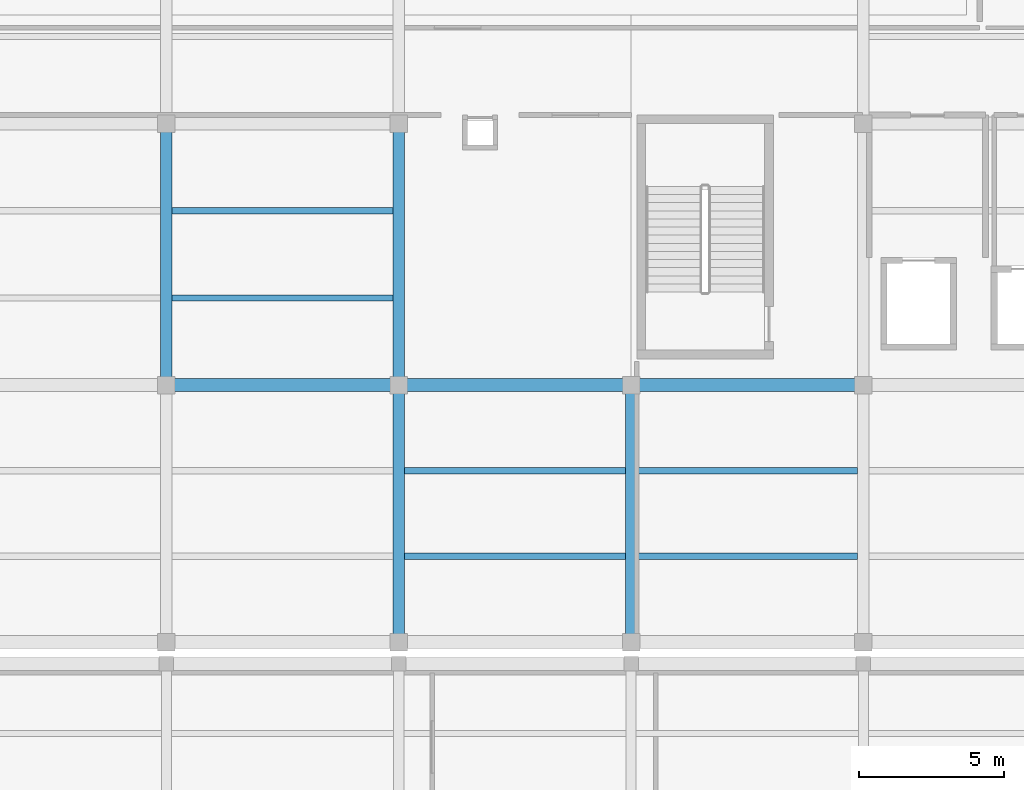
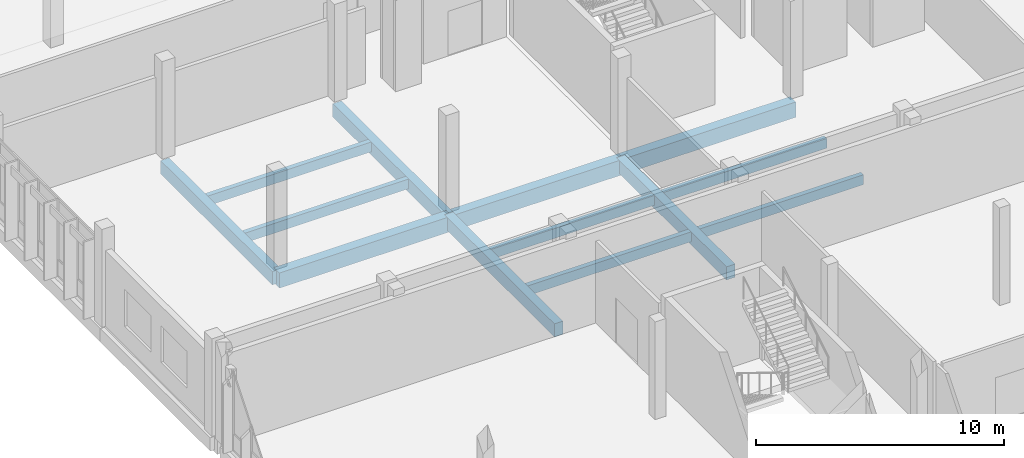
# One storey, part 74 of 177: 13 beams.
"""IFC4 building model written with IfcOpenShell, lengths in metres."""

from ifc_helpers import new_model, si_unit, direction, frame, origin, origin_2d, place, context, subcontext, project, spatial, rectangle, extrude, material, material_profile, profile_set, type_object, element, save


model = new_model("IFC4")

# Units and contexts
model_context = context("Model", 3, precision=1e-05, world=origin(), true_north=direction((0.0, 1.0)))
body_context = subcontext(model_context, "Body", "Model", "MODEL_VIEW")
ifc_project = project(units=[si_unit("LENGTHUNIT", "METRE"), si_unit("AREAUNIT", "SQUARE_METRE"), si_unit("VOLUMEUNIT", "CUBIC_METRE"), si_unit("PLANEANGLEUNIT", "RADIAN"), si_unit("MASSUNIT", "GRAM", prefix="KILO")], contexts=[model_context])

# Site, building, storey
site_placement = place(None, origin())
site = spatial("IfcSite", under=ifc_project, at=site_placement, CompositionType="ELEMENT")
building_placement = place(site_placement, origin())
building = spatial("IfcBuilding", under=site, at=building_placement, Name="Chiffa Square Polytechnic", CompositionType="ELEMENT")
storey_placement = place(building_placement, frame((0.0, 0.0, 4.800048828125)))
storey = spatial("IfcBuildingStorey", under=building, at=storey_placement, Name="L01", CompositionType="ELEMENT", Elevation=4.800048828125)

# Beams
ifc_material_1 = material(Name="Concrete C35/45", Category="concrete")
ifc_material_profile_1 = material_profile(ifc_material_1, rectangle(XDim=0.39990234375, YDim=0.64990234375, at=origin_2d()), Name="RC 400x650")
ifc_profile_set_1 = profile_set([ifc_material_profile_1], Name="Concrete C35/45")
beam_type_1 = type_object("IfcBeamType", Name="BM-RC-400X650", PredefinedType="BEAM", material=ifc_profile_set_1)
beam_1_placement = place(storey_placement, frame((8.0, 103.800048828125, -0.60498046875), z_axis=(0.0, 1.0, 0.0), x_axis=(-1.0, 0.0, 0.0)))
element("IfcBeam", 1, at=beam_1_placement, inside=storey, type_object=beam_type_1, Name="Primary floor girder BM-V5-L01-Y-0080-1038", PredefinedType="BEAM", context=body_context, shape_type="SweptSolid", body=[
    extrude(rectangle(XDim=0.39990234375, YDim=0.64990234375, at=origin_2d()), origin(), (0.0, 0.0, 1.0), 9.0),
])
beam_2_placement = place(storey_placement, frame((16.0, 94.949951171875, -0.60498046875), z_axis=(0.0, 1.0, 0.0), x_axis=(-1.0, 0.0, 0.0)))
element("IfcBeam", 2, at=beam_2_placement, inside=storey, type_object=beam_type_1, Name="Primary floor girder BM-V5-L01-Y-0160-0950", PredefinedType="BEAM", context=body_context, shape_type="SweptSolid", body=[
    extrude(rectangle(XDim=0.39990234375, YDim=0.64990234375, at=origin_2d()), origin(), (0.0, 0.0, 1.0), 8.85009765625),
])
beam_3_placement = place(storey_placement, frame((16.0, 103.800048828125, -0.60498046875), z_axis=(0.0, 1.0, 0.0), x_axis=(-1.0, 0.0, 0.0)))
element("IfcBeam", 3, at=beam_3_placement, inside=storey, type_object=beam_type_1, Name="Primary floor girder BM-V5-L01-Y-0160-1038", PredefinedType="BEAM", context=body_context, shape_type="SweptSolid", body=[
    extrude(rectangle(XDim=0.39990234375, YDim=0.64990234375, at=origin_2d()), origin(), (0.0, 0.0, 1.0), 9.0),
])
beam_4_placement = place(storey_placement, frame((24.0, 94.949951171875, -0.60498046875), z_axis=(0.0, 1.0, 0.0), x_axis=(-1.0, 0.0, 0.0)))
element("IfcBeam", 4, at=beam_4_placement, inside=storey, type_object=beam_type_1, Name="Primary floor girder BM-V5-L01-Y-0240-0950", PredefinedType="BEAM", context=body_context, shape_type="SweptSolid", body=[
    extrude(rectangle(XDim=0.39990234375, YDim=0.64990234375, at=origin_2d()), origin(), (0.0, 0.0, 1.0), 8.85009765625),
])
ifc_material_profile_2 = material_profile(ifc_material_1, rectangle(XDim=0.449951171875, YDim=0.75, at=origin_2d()), Name="RC 450x750")
ifc_profile_set_2 = profile_set([ifc_material_profile_2], Name="Concrete C35/45")
beam_type_2 = type_object("IfcBeamType", Name="BM-RC-450X750", PredefinedType="BEAM", material=ifc_profile_set_2)
for number, where, z_axis, x_axis, name in (
    (5, (8.0, 103.800048828125, -0.655029296875), (1.0, 0.0, 0.0), (0.0, 1.0, 0.0), "Primary floor girder BM-V5-L01-X-0080-1038"),
    (6, (16.0, 103.800048828125, -0.655029296875), (1.0, 0.0, 0.0), (0.0, 1.0, 0.0), "Primary floor girder BM-V5-L01-X-0160-1038"),
    (7, (24.0, 103.800048828125, -0.655029296875), (1.0, 0.0, 0.0), (0.0, 1.0, 0.0), "Primary floor girder BM-V5-L01-X-0240-1038"),
):
    element("IfcBeam", number, at=place(storey_placement, frame(where, z_axis=z_axis, x_axis=x_axis)), inside=storey, type_object=beam_type_2, Name=name, PredefinedType="BEAM", context=body_context, shape_type="SweptSolid", body=[
        extrude(rectangle(XDim=0.449951171875, YDim=0.75, at=origin_2d()), origin(), (0.0, 0.0, 1.0), 8.0),
    ])
ifc_material_2 = material(Name="Glulam GL28h", Category="wood")
ifc_material_profile_3 = material_profile(ifc_material_2, rectangle(XDim=0.219970703125, YDim=0.47998046875, at=origin_2d()), Name="GL28h 220x480")
ifc_profile_set_3 = profile_set([ifc_material_profile_3], Name="Glulam GL28h")
beam_type_3 = type_object("IfcBeamType", Name="JST-GL-220X480", PredefinedType="JOIST", material=ifc_profile_set_3)
for number, where, z_axis, x_axis, name in (
    (8, (8.197998046875, 106.800048828125, -0.52001953125), (1.0, 0.0, 0.0), (0.0, 1.0, 0.0), "Secondary floor joist JST-V5-L01-0080-1068"),
    (9, (8.197998046875, 109.800048828125, -0.52001953125), (1.0, 0.0, 0.0), (0.0, 1.0, 0.0), "Secondary floor joist JST-V5-L01-0080-1098"),
    (10, (16.197998046875, 97.89990234375, -0.52001953125), (1.0, 0.0, 0.0), (0.0, 1.0, 0.0), "Secondary floor joist JST-V5-L01-0160-0979"),
    (11, (16.197998046875, 100.85009765625, -0.52001953125), (1.0, 0.0, 0.0), (0.0, 1.0, 0.0), "Secondary floor joist JST-V5-L01-0160-1008"),
    (12, (24.197998046875, 97.89990234375, -0.52001953125), (1.0, 0.0, 0.0), (0.0, 1.0, 0.0), "Secondary floor joist JST-V5-L01-0240-0979"),
    (13, (24.197998046875, 100.85009765625, -0.52001953125), (1.0, 0.0, 0.0), (0.0, 1.0, 0.0), "Secondary floor joist JST-V5-L01-0240-1008"),
):
    element("IfcBeam", number, at=place(storey_placement, frame(where, z_axis=z_axis, x_axis=x_axis)), inside=storey, type_object=beam_type_3, Name=name, PredefinedType="JOIST", context=body_context, shape_type="SweptSolid", body=[
        extrude(rectangle(XDim=0.219970703125, YDim=0.47998046875, at=origin_2d()), origin(), (0.0, 0.0, 1.0), 7.60400390625),
    ])

save(model, "model.ifc")
